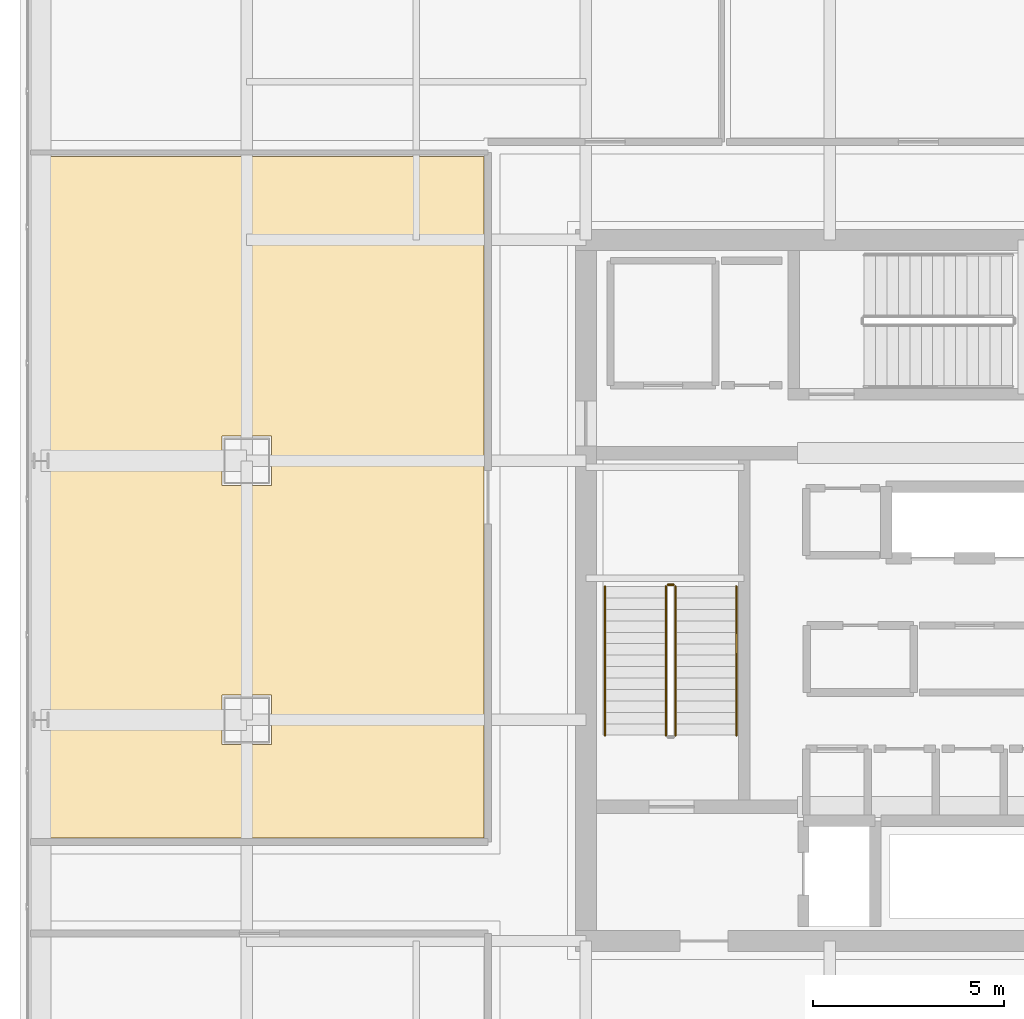
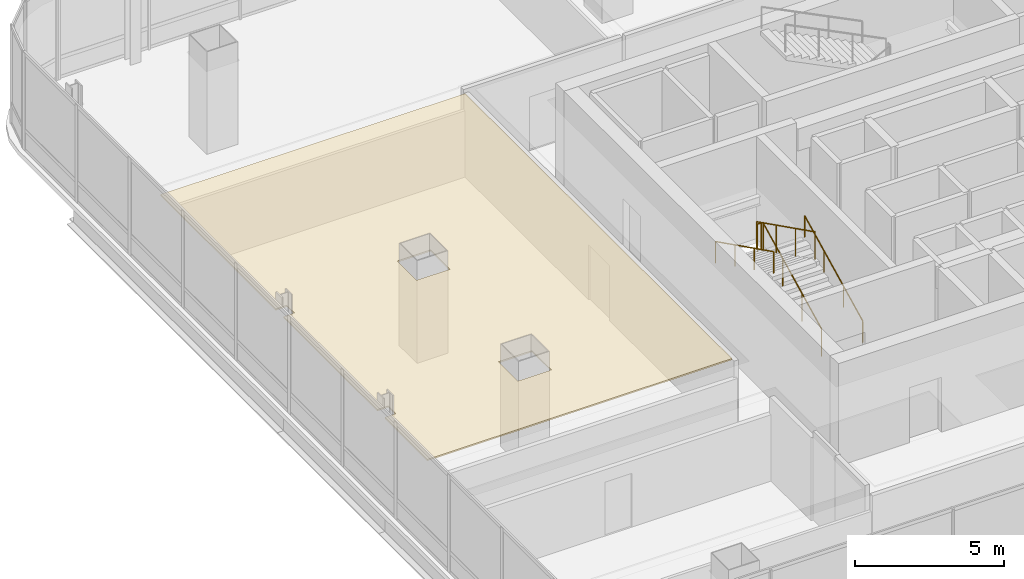
# One storey, part 38 of 41: 5 railings, 1 covering.
"""IFC4 building model written with IfcOpenShell, lengths in metres."""

from ifc_helpers import new_model, si_unit, direction, frame, origin, origin_2d, place, context, subcontext, project, spatial, polyline, circle, outline, extrude, material, layer, layer_set, type_object, element, save


model = new_model("IFC4")

# Units and contexts
model_context = context("Model", 3, precision=1e-05, world=origin(), true_north=direction((0.0, 1.0)))
body_context = subcontext(model_context, "Body", "Model", "MODEL_VIEW")
ifc_project = project(units=[si_unit("LENGTHUNIT", "METRE"), si_unit("AREAUNIT", "SQUARE_METRE"), si_unit("VOLUMEUNIT", "CUBIC_METRE"), si_unit("PLANEANGLEUNIT", "RADIAN"), si_unit("MASSUNIT", "GRAM", prefix="KILO")], contexts=[model_context])

# Site, building, storey
site_placement = place(None, origin())
site = spatial("IfcSite", under=ifc_project, at=site_placement, CompositionType="ELEMENT")
building_placement = place(site_placement, origin())
building = spatial("IfcBuilding", under=site, at=building_placement, Name="Punatoya Terracotta Tower", CompositionType="ELEMENT")
storey_placement = place(building_placement, frame((0.0, 0.0, 288.0)))
storey = spatial("IfcBuildingStorey", under=building, at=storey_placement, Name="L68", CompositionType="ELEMENT", Elevation=288.0)

# Covering
ifc_material_1 = material(Name="Acoustic Mineral Fibre Ceiling")
ifc_layer = layer(ifc_material_1, 0.06005859375)
ifc_layer_set = layer_set([ifc_layer], Name="Acoustic Mineral Fibre Ceiling")
covering_type = type_object("IfcCoveringType", Name="COV-CEIL-60", PredefinedType="CEILING", material=ifc_layer_set)
covering_placement = place(storey_placement, frame((0.0, 0.0, 3.389892578125)))
element("IfcCovering", 1, at=covering_placement, inside=storey, type_object=covering_type, Name="L68 Technical Seminar Room Acoustic Ceiling", PredefinedType="CEILING", context=body_context, shape_type="SweptSolid", body=[
    extrude(outline(polyline([(-24.669921875, -6.5), (-12.8701171875, -6.5), (-12.8701171875, 11.389892578125), (-24.669921875, 11.389892578125), (-24.669921875, 3.657958984375), (-24.2470703125, 3.657958984375), (-24.2470703125, 3.14208984375), (-24.669921875, 3.14208984375), (-24.669921875, -3.14208984375), (-24.2470703125, -3.14208984375), (-24.2470703125, -3.657958984375), (-24.669921875, -3.657958984375), (-24.669921875, -6.5)]), holes=[polyline([(-18.449951171875, -4.050048828125), (-19.75, -4.050048828125), (-19.75, -2.75), (-18.449951171875, -2.75), (-18.449951171875, -4.050048828125)]), polyline([(-18.449951171875, 4.050048828125), (-18.449951171875, 2.75), (-19.75, 2.75), (-19.75, 4.050048828125), (-18.449951171875, 4.050048828125)])]), origin(), (0.0, 0.0, 1.0), 0.06005859375),
])

# Railings
ifc_material_2 = material(Name="Steel S355", Category="steel")
railing_type_1 = type_object("IfcRailingType", Name="RLG-GRD-1150", PredefinedType="GUARDRAIL", material=ifc_material_2)
railing_1_placement = place(storey_placement, frame((-7.85009765625, -3.800048828125, 0.14990234375)))
element("IfcRailing", 2, at=railing_1_placement, inside=storey, type_object=railing_type_1, Name="L68 ST-1 stair guard 1", PredefinedType="GUARDRAIL", context=body_context, shape_type="SweptSolid", body=[
    extrude(circle(Radius=0.02392578125, at=origin_2d()), frame((0.0, 0.0, 1.1259765625), z_axis=(0.0, 0.894415993023, 0.447235990752), x_axis=(-1.0, 0.0, 0.0)), (0.0, 0.0, 1.0), 4.360595703125),
    extrude(circle(Radius=0.02099609375, at=origin_2d()), origin(), (0.0, 0.0, 1.0), 1.101806640625),
    extrude(circle(Radius=0.02099609375, at=origin_2d()), frame((0.0, 1.300048828125, 0.650146484375)), (0.0, 0.0, 1.0), 1.101806640625),
    extrude(circle(Radius=0.02099609375, at=origin_2d()), frame((0.0, 2.60009765625, 1.300048828125)), (0.0, 0.0, 1.0), 1.101806640625),
    extrude(circle(Radius=0.02099609375, at=origin_2d()), frame((0.0, 3.900146484375, 1.9501953125)), (0.0, 0.0, 1.0), 1.101806640625),
])
railing_2_placement = place(storey_placement, frame((-7.89990234375, 0.14990234375, 2.10009765625)))
element("IfcRailing", 3, at=railing_2_placement, inside=storey, type_object=railing_type_1, Name="L68 ST-1 stair guard 2", PredefinedType="GUARDRAIL", context=body_context, shape_type="SweptSolid", body=[
    extrude(circle(Radius=0.02392578125, at=origin_2d()), frame((0.0, 0.0, 1.1259765625), z_axis=(-1.0, 0.0, 0.0), x_axis=(0.0, -1.0, 0.0)), (0.0, 0.0, 1.0), 0.150146484375),
    extrude(circle(Radius=0.02099609375, at=origin_2d()), origin(), (0.0, 0.0, 1.0), 1.101806640625),
    extrude(circle(Radius=0.02099609375, at=origin_2d()), frame((-0.150146484375, 0.0, 0.0)), (0.0, 0.0, 1.0), 1.101806640625),
])
railing_3_placement = place(storey_placement, frame((-8.10009765625, 0.10009765625, 2.25)))
element("IfcRailing", 4, at=railing_3_placement, inside=storey, type_object=railing_type_1, Name="L68 ST-1 stair guard 3", PredefinedType="GUARDRAIL", context=body_context, shape_type="SweptSolid", body=[
    extrude(circle(Radius=0.02392578125, at=origin_2d()), frame((0.0, 0.0, 1.1259765625), z_axis=(0.0, -0.894438388696, 0.447191199406), x_axis=(1.0, 0.0, 0.0)), (0.0, 0.0, 1.0), 4.3603515625),
    extrude(circle(Radius=0.02099609375, at=origin_2d()), origin(), (0.0, 0.0, 1.0), 1.101806640625),
    extrude(circle(Radius=0.02099609375, at=origin_2d()), frame((0.0, -1.300048828125, 0.64990234375)), (0.0, 0.0, 1.0), 1.101806640625),
    extrude(circle(Radius=0.02099609375, at=origin_2d()), frame((0.0, -2.60009765625, 1.300048828125)), (0.0, 0.0, 1.0), 1.101806640625),
    extrude(circle(Radius=0.02099609375, at=origin_2d()), frame((0.0, -3.900146484375, 1.949951171875)), (0.0, 0.0, 1.0), 1.101806640625),
])
railing_type_2 = type_object("IfcRailingType", Name="RLG-HND-900", PredefinedType="HANDRAIL", material=ifc_material_2)
railing_4_placement = place(storey_placement, frame((-6.25, -3.800048828125, 0.14990234375)))
element("IfcRailing", 5, at=railing_4_placement, inside=storey, type_object=railing_type_2, Name="L68 ST-1 stair handrail 1", PredefinedType="HANDRAIL", context=body_context, shape_type="SweptSolid", body=[
    extrude(circle(Radius=0.02392578125, at=origin_2d()), frame((0.0, 0.0, 0.8759765625), z_axis=(0.0, 0.894415993023, 0.447235990752), x_axis=(-1.0, 0.0, 0.0)), (0.0, 0.0, 1.0), 4.360595703125),
    extrude(circle(Radius=0.02099609375, at=origin_2d()), origin(), (0.0, 0.0, 1.0), 0.851806640625),
    extrude(circle(Radius=0.02099609375, at=origin_2d()), frame((0.0, 1.300048828125, 0.650146484375)), (0.0, 0.0, 1.0), 0.851806640625),
    extrude(circle(Radius=0.02099609375, at=origin_2d()), frame((0.0, 2.60009765625, 1.300048828125)), (0.0, 0.0, 1.0), 0.851806640625),
    extrude(circle(Radius=0.02099609375, at=origin_2d()), frame((0.0, 3.900146484375, 1.9501953125)), (0.0, 0.0, 1.0), 0.851806640625),
])
railing_5_placement = place(storey_placement, frame((-9.699951171875, 0.10009765625, 2.25)))
element("IfcRailing", 6, at=railing_5_placement, inside=storey, type_object=railing_type_2, Name="L68 ST-1 stair handrail 2", PredefinedType="HANDRAIL", context=body_context, shape_type="SweptSolid", body=[
    extrude(circle(Radius=0.02392578125, at=origin_2d()), frame((0.0, 0.0, 0.8759765625), z_axis=(0.0, -0.894438388696, 0.447191199406), x_axis=(1.0, 0.0, 0.0)), (0.0, 0.0, 1.0), 4.3603515625),
    extrude(circle(Radius=0.02099609375, at=origin_2d()), origin(), (0.0, 0.0, 1.0), 0.851806640625),
    extrude(circle(Radius=0.02099609375, at=origin_2d()), frame((0.0, -1.300048828125, 0.64990234375)), (0.0, 0.0, 1.0), 0.851806640625),
    extrude(circle(Radius=0.02099609375, at=origin_2d()), frame((0.0, -2.60009765625, 1.300048828125)), (0.0, 0.0, 1.0), 0.851806640625),
    extrude(circle(Radius=0.02099609375, at=origin_2d()), frame((0.0, -3.900146484375, 1.949951171875)), (0.0, 0.0, 1.0), 0.851806640625),
])

save(model, "model.ifc")
